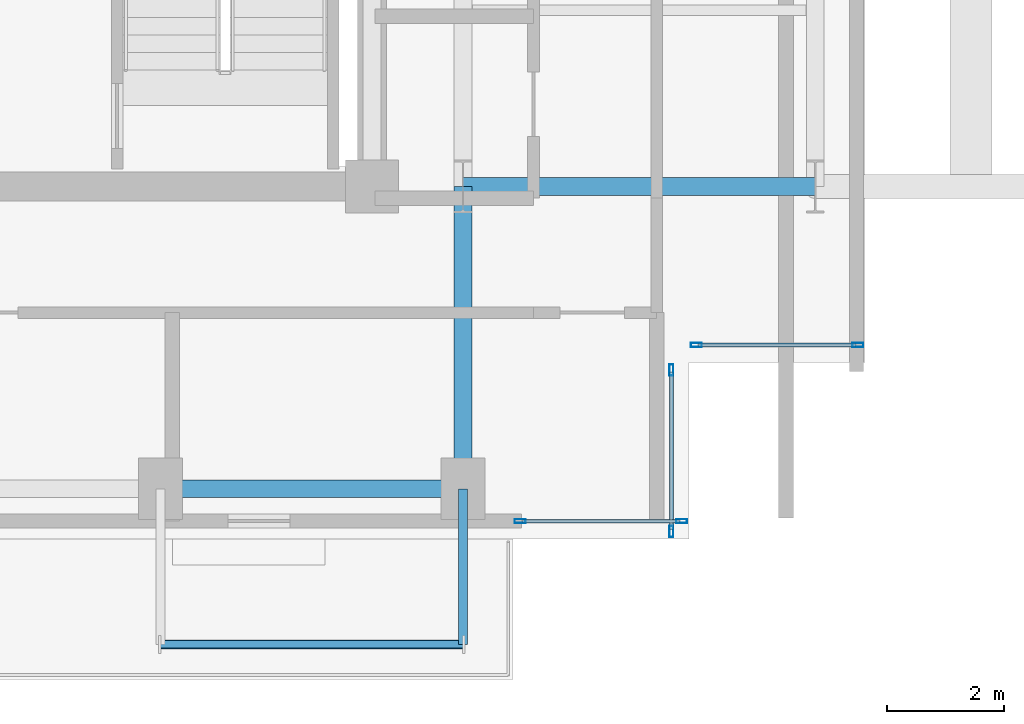
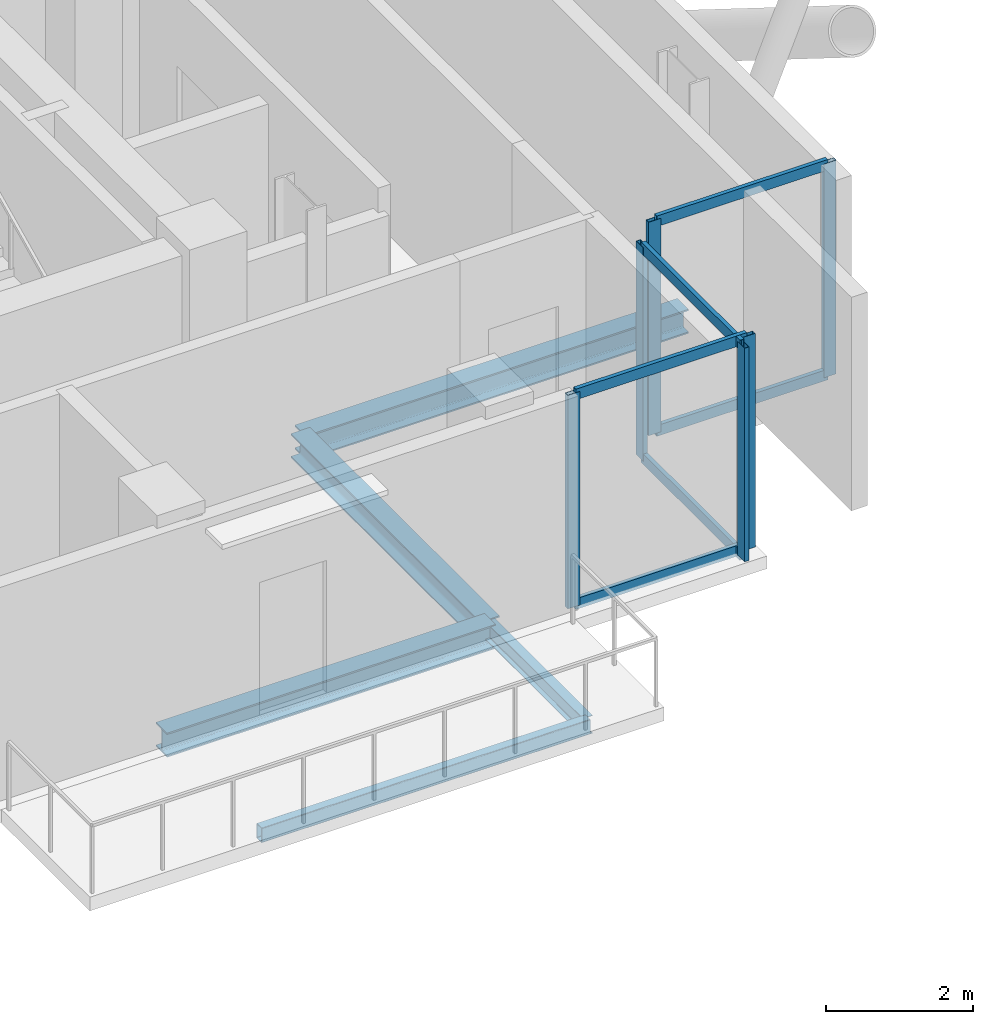
# One storey, part 11 of 26: 12 members, 5 beams, 3 elements without a shape of their own.
"""IFC4 building model written with IfcOpenShell, lengths in metres."""

from ifc_helpers import new_model, si_unit, direction, frame, origin, origin_2d, place, context, subcontext, project, spatial, hollow_rectangle, i_section, extrude, material, layer, layer_set, material_profile, profile_set, type_object, element, aggregate, save


model = new_model("IFC4")

# Units and contexts
model_context = context("Model", 3, precision=1e-05, world=origin(), true_north=direction((0.0, 1.0)))
body_context = subcontext(model_context, "Body", "Model", "MODEL_VIEW")
ifc_project = project(units=[si_unit("LENGTHUNIT", "METRE"), si_unit("AREAUNIT", "SQUARE_METRE"), si_unit("VOLUMEUNIT", "CUBIC_METRE"), si_unit("PLANEANGLEUNIT", "RADIAN"), si_unit("MASSUNIT", "GRAM", prefix="KILO"), si_unit("THERMODYNAMICTEMPERATUREUNIT", "KELVIN"), si_unit("POWERUNIT", "WATT")], contexts=[model_context])

# Site, building, storey
site_placement = place(None, origin())
site = spatial("IfcSite", under=ifc_project, at=site_placement, CompositionType="ELEMENT")
building_placement = place(site_placement, origin())
building = spatial("IfcBuilding", under=site, at=building_placement, Name="Svarakhadi Broadcast Tower", CompositionType="ELEMENT")
storey_placement = place(building_placement, frame((0.0, 0.0, 184.199951171875)))
storey = spatial("IfcBuildingStorey", under=building, at=storey_placement, Name="L45", CompositionType="ELEMENT", Elevation=184.199951171875)

# Curtain wall, members
ifc_material_1 = material(Name="Anodised Bronze Aluminium AA 6063-T6", Category="aluminium")
ifc_layer = layer(ifc_material_1, 0.18994140625)
ifc_layer_set = layer_set([ifc_layer], Name="Anodised Bronze Aluminium AA 6063-T6")
curtain_wall_type = type_object("IfcCurtainWallType", Name="CW_Sys_04", PredefinedType="NOTDEFINED", material=ifc_layer_set)
curtain_wall_1_placement = place(storey_placement, origin())
curtain_wall_1 = element("IfcCurtainWall", 1, at=curtain_wall_1_placement, inside=storey, type_object=curtain_wall_type, Name="L45 Unitised Facade Curtain Wall 13", PredefinedType="NOTDEFINED")
ifc_material_profile_1 = material_profile(ifc_material_1, hollow_rectangle(XDim=0.070068359375, YDim=0.18994140625, WallThickness=0.005615234375, at=origin_2d()), Name="ALU MULLION 190x70x6")
ifc_profile_set_1 = profile_set([ifc_material_profile_1], Name="Anodised Bronze Aluminium AA 6063-T6")
member_type_1 = type_object("IfcMemberType", Name="CW_Sys_04_Mul", PredefinedType="MULLION", material=ifc_profile_set_1)
member_1_placement = place(storey_placement, frame((41.875, 3.300048828125, 0.0), z_axis=(0.0, 0.0, 1.0), x_axis=(0.0, -1.0, 0.0)))
member_1 = element("IfcMember", 2, at=member_1_placement, type_object=member_type_1, Name="CW-04 mullion 1", PredefinedType="MULLION", context=body_context, shape_type="SweptSolid", body=[
    extrude(hollow_rectangle(XDim=0.070068359375, YDim=0.18994140625, WallThickness=0.005615234375, at=origin_2d()), origin(), (0.0, 0.0, 1.0), 3.5400390625),
])
member_2_placement = place(storey_placement, frame((39.125, 3.300048828125, 0.0), z_axis=(0.0, 0.0, 1.0), x_axis=(0.0, -1.0, 0.0)))
member_2 = element("IfcMember", 3, at=member_2_placement, type_object=member_type_1, Name="CW-04 mullion 2", PredefinedType="MULLION", context=body_context, shape_type="SweptSolid", body=[
    extrude(hollow_rectangle(XDim=0.070068359375, YDim=0.18994140625, WallThickness=0.005615234375, at=origin_2d()), origin(), (0.0, 0.0, 1.0), 3.5400390625),
])

curtain_wall_2_placement = place(storey_placement, origin())
curtain_wall_2 = element("IfcCurtainWall", 4, at=curtain_wall_2_placement, inside=storey, type_object=curtain_wall_type, Name="L45 Unitised Facade Curtain Wall 14", PredefinedType="NOTDEFINED")
member_3_placement = place(storey_placement, frame((38.699951171875, 2.875, 0.0), z_axis=(0.0, 0.0, 1.0), x_axis=(1.0, 0.0, 0.0)))
member_3 = element("IfcMember", 5, at=member_3_placement, type_object=member_type_1, Name="CW-04 mullion 1", PredefinedType="MULLION", context=body_context, shape_type="SweptSolid", body=[
    extrude(hollow_rectangle(XDim=0.070068359375, YDim=0.18994140625, WallThickness=0.005615234375, at=origin_2d()), origin(), (0.0, 0.0, 1.0), 3.5400390625),
])
member_4_placement = place(storey_placement, frame((38.699951171875, 0.125, 0.0), z_axis=(0.0, 0.0, 1.0), x_axis=(1.0, 0.0, 0.0)))
member_4 = element("IfcMember", 6, at=member_4_placement, type_object=member_type_1, Name="CW-04 mullion 2", PredefinedType="MULLION", context=body_context, shape_type="SweptSolid", body=[
    extrude(hollow_rectangle(XDim=0.070068359375, YDim=0.18994140625, WallThickness=0.005615234375, at=origin_2d()), origin(), (0.0, 0.0, 1.0), 3.5400390625),
])

curtain_wall_3_placement = place(storey_placement, origin())
curtain_wall_3 = element("IfcCurtainWall", 7, at=curtain_wall_3_placement, inside=storey, type_object=curtain_wall_type, Name="L45 South Curtain Wall 15", PredefinedType="NOTDEFINED")
member_5_placement = place(storey_placement, frame((38.875, 0.300048828125, 0.0), z_axis=(0.0, 0.0, 1.0), x_axis=(0.0, -1.0, 0.0)))
member_5 = element("IfcMember", 8, at=member_5_placement, type_object=member_type_1, Name="CW-04 mullion 1", PredefinedType="MULLION", context=body_context, shape_type="SweptSolid", body=[
    extrude(hollow_rectangle(XDim=0.070068359375, YDim=0.18994140625, WallThickness=0.005615234375, at=origin_2d()), origin(), (0.0, 0.0, 1.0), 3.5400390625),
])
member_6_placement = place(storey_placement, frame((36.125, 0.300048828125, 0.0), z_axis=(0.0, 0.0, 1.0), x_axis=(0.0, -1.0, 0.0)))
member_6 = element("IfcMember", 9, at=member_6_placement, type_object=member_type_1, Name="CW-04 mullion 2", PredefinedType="MULLION", context=body_context, shape_type="SweptSolid", body=[
    extrude(hollow_rectangle(XDim=0.070068359375, YDim=0.18994140625, WallThickness=0.005615234375, at=origin_2d()), origin(), (0.0, 0.0, 1.0), 3.5400390625),
])

# Member
ifc_material_profile_2 = material_profile(ifc_material_1, hollow_rectangle(XDim=0.06494140625, YDim=0.175048828125, WallThickness=0.0048828125, at=origin_2d()), Name="ALU TRANSOM 175x65x5")
ifc_profile_set_2 = profile_set([ifc_material_profile_2], Name="Anodised Bronze Aluminium AA 6063-T6")
member_type_2 = type_object("IfcMemberType", Name="CW_Sys_04_Trn", PredefinedType="USERDEFINED", material=ifc_profile_set_2)
member_7_placement = place(storey_placement, frame((41.840087890625, 3.300048828125, 0.032470703125), z_axis=(-1.0, 0.0, 0.0), x_axis=(0.0, -1.0, 0.0)))
member_7 = element("IfcMember", 10, at=member_7_placement, type_object=member_type_2, Name="CW-04 transom 1.1", ObjectType="TRANSOM", PredefinedType="USERDEFINED", context=body_context, shape_type="SweptSolid", body=[
    extrude(hollow_rectangle(XDim=0.06494140625, YDim=0.175048828125, WallThickness=0.0048828125, at=origin_2d()), origin(), (0.0, 0.0, 1.0), 2.68017578125),
])

member_8_placement = place(storey_placement, frame((41.840087890625, 3.300048828125, 3.507568359375), z_axis=(-1.0, 0.0, 0.0), x_axis=(0.0, -1.0, 0.0)))
member_8 = element("IfcMember", 11, at=member_8_placement, type_object=member_type_2, Name="CW-04 transom 1.2", ObjectType="TRANSOM", PredefinedType="USERDEFINED", context=body_context, shape_type="SweptSolid", body=[
    extrude(hollow_rectangle(XDim=0.06494140625, YDim=0.175048828125, WallThickness=0.0048828125, at=origin_2d()), origin(), (0.0, 0.0, 1.0), 2.68017578125),
])

aggregate(curtain_wall_1, [member_1, member_2, member_7, member_8])

member_9_placement = place(storey_placement, frame((38.699951171875, 2.840087890625, 0.032470703125), z_axis=(0.0, -1.0, 0.0), x_axis=(1.0, 0.0, 0.0)))
member_9 = element("IfcMember", 12, at=member_9_placement, type_object=member_type_2, Name="CW-04 transom 1.1", ObjectType="TRANSOM", PredefinedType="USERDEFINED", context=body_context, shape_type="SweptSolid", body=[
    extrude(hollow_rectangle(XDim=0.06494140625, YDim=0.175048828125, WallThickness=0.0048828125, at=origin_2d()), origin(), (0.0, 0.0, 1.0), 2.68017578125),
])

member_10_placement = place(storey_placement, frame((38.699951171875, 2.840087890625, 3.507568359375), z_axis=(0.0, -1.0, 0.0), x_axis=(1.0, 0.0, 0.0)))
member_10 = element("IfcMember", 13, at=member_10_placement, type_object=member_type_2, Name="CW-04 transom 1.2", ObjectType="TRANSOM", PredefinedType="USERDEFINED", context=body_context, shape_type="SweptSolid", body=[
    extrude(hollow_rectangle(XDim=0.06494140625, YDim=0.175048828125, WallThickness=0.0048828125, at=origin_2d()), origin(), (0.0, 0.0, 1.0), 2.68017578125),
])

aggregate(curtain_wall_2, [member_3, member_4, member_9, member_10])

member_11_placement = place(storey_placement, frame((38.840087890625, 0.300048828125, 0.032470703125), z_axis=(-1.0, 0.0, 0.0), x_axis=(0.0, -1.0, 0.0)))
member_11 = element("IfcMember", 14, at=member_11_placement, type_object=member_type_2, Name="CW-04 transom 1.1", ObjectType="TRANSOM", PredefinedType="USERDEFINED", context=body_context, shape_type="SweptSolid", body=[
    extrude(hollow_rectangle(XDim=0.06494140625, YDim=0.175048828125, WallThickness=0.0048828125, at=origin_2d()), origin(), (0.0, 0.0, 1.0), 2.68017578125),
])

member_12_placement = place(storey_placement, frame((38.840087890625, 0.300048828125, 3.507568359375), z_axis=(-1.0, 0.0, 0.0), x_axis=(0.0, -1.0, 0.0)))
member_12 = element("IfcMember", 15, at=member_12_placement, type_object=member_type_2, Name="CW-04 transom 1.2", ObjectType="TRANSOM", PredefinedType="USERDEFINED", context=body_context, shape_type="SweptSolid", body=[
    extrude(hollow_rectangle(XDim=0.06494140625, YDim=0.175048828125, WallThickness=0.0048828125, at=origin_2d()), origin(), (0.0, 0.0, 1.0), 2.68017578125),
])

aggregate(curtain_wall_3, [member_5, member_6, member_11, member_12])

# Beams
ifc_material_2 = material(Name="Steel S355J2 (IS 2062 E350C)", Category="steel")
ifc_material_profile_3 = material_profile(ifc_material_2, i_section(OverallWidth=0.300048828125, OverallDepth=0.39990234375, WebThickness=0.013427734375, FlangeThickness=0.02392578125, FilletRadius=0.027099609375, at=origin_2d()), Name="WPB 400x300x155")
ifc_profile_set_3 = profile_set([ifc_material_profile_3], Name="Steel S355J2 (IS 2062 E350C)")
beam_type_1 = type_object("IfcBeamType", Name="Girder_WPB400", PredefinedType="USERDEFINED", material=ifc_profile_set_3)
beam_1_placement = place(storey_placement, frame((30.0, 0.85009765625, -0.409912109375), z_axis=(1.0, 0.0, 0.0), x_axis=(0.0, 1.0, 0.0)))
element("IfcBeam", 16, at=beam_1_placement, inside=storey, type_object=beam_type_1, Name="L45 Primary E-W Girder G008", ObjectType="GIRDER", PredefinedType="USERDEFINED", context=body_context, shape_type="SweptSolid", body=[
    extrude(i_section(OverallWidth=0.300048828125, OverallDepth=0.39990234375, WebThickness=0.013427734375, FlangeThickness=0.02392578125, FilletRadius=0.027099609375, at=origin_2d()), origin(), (0.0, 0.0, 1.0), 5.14990234375),
])
beam_2_placement = place(storey_placement, frame((35.14990234375, 6.0, -0.409912109375), z_axis=(1.0, 0.0, 0.0), x_axis=(0.0, 1.0, 0.0)))
element("IfcBeam", 17, at=beam_2_placement, inside=storey, type_object=beam_type_1, Name="L45 Primary E-W Girder G014", ObjectType="GIRDER", PredefinedType="USERDEFINED", context=body_context, shape_type="SweptSolid", body=[
    extrude(i_section(OverallWidth=0.300048828125, OverallDepth=0.39990234375, WebThickness=0.013427734375, FlangeThickness=0.02392578125, FilletRadius=0.027099609375, at=origin_2d()), origin(), (0.0, 0.0, 1.0), 6.0),
])
beam_3_placement = place(storey_placement, frame((35.14990234375, 0.85009765625, -0.409912109375), z_axis=(0.0, 1.0, 0.0), x_axis=(-1.0, 0.0, 0.0)))
element("IfcBeam", 18, at=beam_3_placement, inside=storey, type_object=beam_type_1, Name="L45 Primary N-S Girder G056", ObjectType="GIRDER", PredefinedType="USERDEFINED", context=body_context, shape_type="SweptSolid", body=[
    extrude(i_section(OverallWidth=0.300048828125, OverallDepth=0.39990234375, WebThickness=0.013427734375, FlangeThickness=0.02392578125, FilletRadius=0.027099609375, at=origin_2d()), origin(), (0.0, 0.0, 1.0), 5.14990234375),
])
ifc_material_profile_4 = material_profile(ifc_material_2, i_section(OverallWidth=0.14990234375, OverallDepth=0.300048828125, WebThickness=0.007080078125, FlangeThickness=0.0107421875, FilletRadius=0.014892578125, at=origin_2d()), Name="NPB 300x150x37")
ifc_profile_set_4 = profile_set([ifc_material_profile_4], Name="Steel S355J2 (IS 2062 E350C)")
beam_type_2 = type_object("IfcBeamType", Name="Spandrel_NPB300", PredefinedType="SPANDREL", material=ifc_profile_set_4)
beam_4_placement = place(storey_placement, frame((35.14990234375, 0.85009765625, -0.375), z_axis=(0.0, -1.0, 0.0), x_axis=(1.0, 0.0, 0.0)))
element("IfcBeam", 19, at=beam_4_placement, inside=storey, type_object=beam_type_2, Name="L45 Balcony Cantilever Bracket 1B", PredefinedType="SPANDREL", context=body_context, shape_type="SweptSolid", body=[
    extrude(i_section(OverallWidth=0.14990234375, OverallDepth=0.300048828125, WebThickness=0.007080078125, FlangeThickness=0.0107421875, FilletRadius=0.014892578125, at=origin_2d()), origin(), (0.0, 0.0, 1.0), 2.650146484375),
])
ifc_material_3 = material(Name="Steel S460ML (IS 2062 E450BR)", Category="steel")
ifc_material_profile_5 = material_profile(ifc_material_3, hollow_rectangle(XDim=0.14990234375, YDim=0.25, WallThickness=0.010009765625, InnerFilletRadius=0.010009765625, OuterFilletRadius=0.02001953125, at=origin_2d()), Name="RHS 250x150x10")
ifc_profile_set_5 = profile_set([ifc_material_profile_5], Name="Steel S460ML (IS 2062 E450BR)")
beam_type_3 = type_object("IfcBeamType", Name="Spandrel_RHS250", PredefinedType="SPANDREL", material=ifc_profile_set_5)
beam_5_placement = place(storey_placement, frame((30.0, -1.800048828125, -0.349853515625), z_axis=(1.0, 0.0, 0.0), x_axis=(0.0, 1.0, 0.0)))
element("IfcBeam", 20, at=beam_5_placement, inside=storey, type_object=beam_type_3, Name="L45 Balcony Outer Spandrel 1F", PredefinedType="SPANDREL", context=body_context, shape_type="SweptSolid", body=[
    extrude(hollow_rectangle(XDim=0.14990234375, YDim=0.25, WallThickness=0.010009765625, InnerFilletRadius=0.010009765625, OuterFilletRadius=0.02001953125, at=origin_2d()), origin(), (0.0, 0.0, 1.0), 5.14990234375),
])

save(model, "model.ifc")
